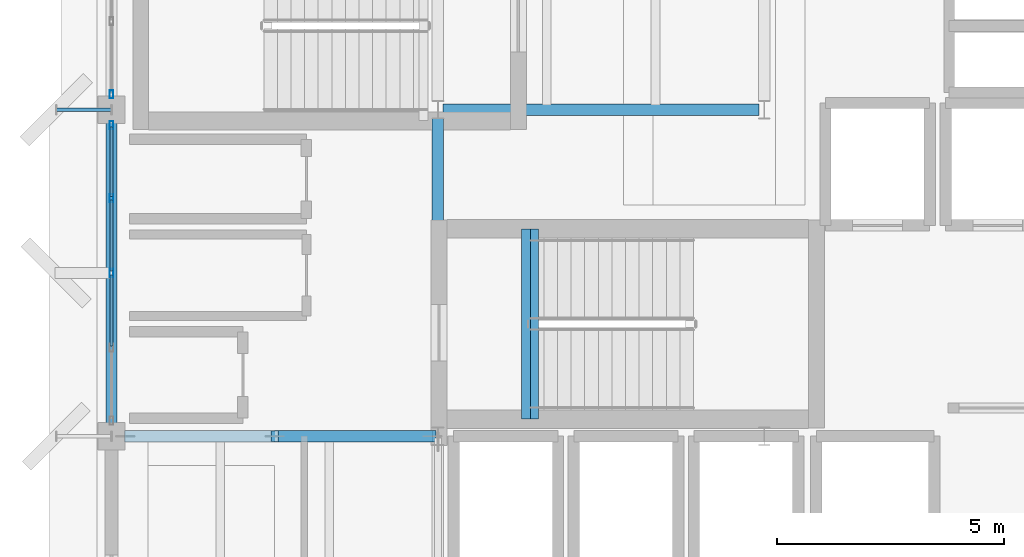
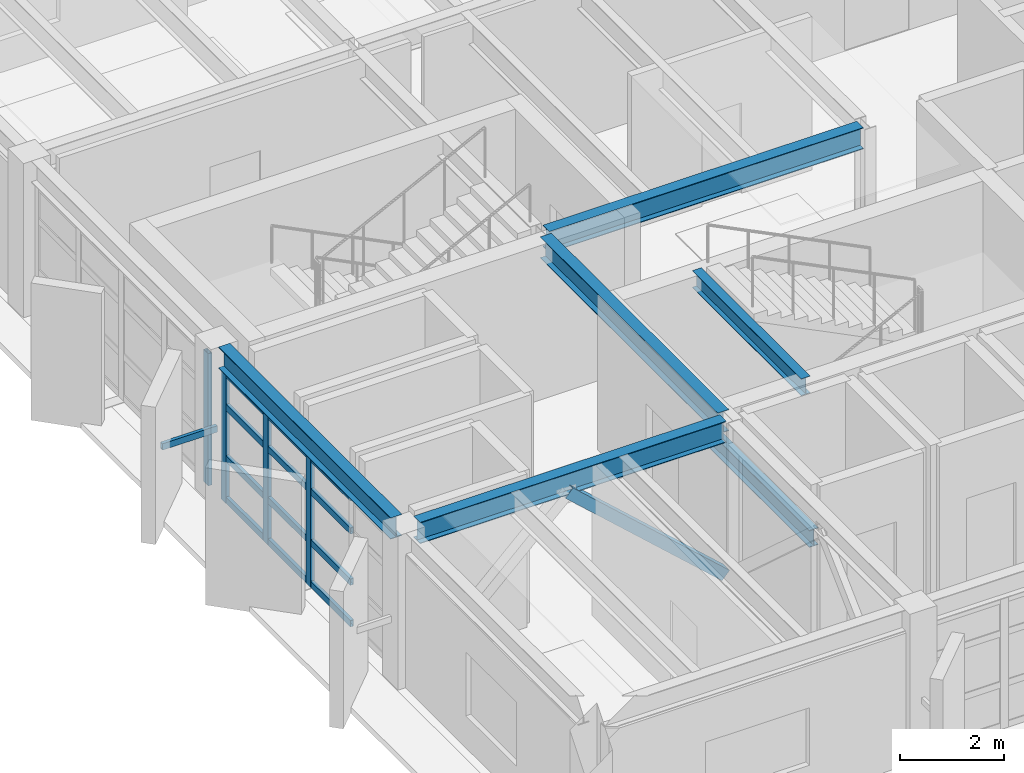
# One storey, part 4 of 19: 18 members, 6 beams, 2 elements without a shape of their own.
"""IFC4 building model written with IfcOpenShell, lengths in metres."""

from ifc_helpers import new_model, si_unit, direction, frame, origin, origin_2d, place, context, subcontext, project, spatial, hollow_rectangle, i_section, extrude, material, layer, layer_set, material_profile, profile_set, type_object, element, aggregate, save


model = new_model("IFC4")

# Units and contexts
model_context = context("Model", 3, precision=1e-05, world=origin(), true_north=direction((0.0, 1.0)))
body_context = subcontext(model_context, "Body", "Model", "MODEL_VIEW")
ifc_project = project(units=[si_unit("LENGTHUNIT", "METRE"), si_unit("AREAUNIT", "SQUARE_METRE"), si_unit("VOLUMEUNIT", "CUBIC_METRE"), si_unit("PLANEANGLEUNIT", "RADIAN"), si_unit("MASSUNIT", "GRAM", prefix="KILO")], contexts=[model_context])

# Site, building, storey
site_placement = place(None, origin())
site = spatial("IfcSite", under=ifc_project, at=site_placement, CompositionType="ELEMENT")
building_placement = place(site_placement, origin())
building = spatial("IfcBuilding", under=site, at=building_placement, Name="Kandorven Conservatory and Botanical Research Centre", CompositionType="ELEMENT")
storey_placement = place(building_placement, frame((0.0, 0.0, 28.800048828125)))
storey = spatial("IfcBuildingStorey", under=building, at=storey_placement, Name="L07", CompositionType="ELEMENT", Elevation=28.800048828125)

# Beams
ifc_material_1 = material(Name="Steel S355 (IS 2062 E350)", Category="steel")
ifc_material_profile_1 = material_profile(ifc_material_1, i_section(OverallWidth=0.25, OverallDepth=0.5, WebThickness=0.010009765625, FlangeThickness=0.0146484375, at=origin_2d()))
ifc_profile_set_1 = profile_set([ifc_material_profile_1], Name="Steel S355 (IS 2062 E350)")
beam_type_1 = type_object("IfcBeamType", Name="Beam_FG-02", PredefinedType="USERDEFINED", material=ifc_profile_set_1)
beam_1_placement = place(storey_placement, frame((6.2900390625, 13.199951171875, 3.369873046875), z_axis=(1.0, 0.0, 0.0), x_axis=(0.0, 1.0, 0.0)))
element("IfcBeam", 1, at=beam_1_placement, inside=storey, type_object=beam_type_1, Name="Primary girder FG-02 TWR L07", ObjectType="GIRDER", PredefinedType="USERDEFINED", context=body_context, shape_type="SweptSolid", body=[
    extrude(i_section(OverallWidth=0.25, OverallDepth=0.5, WebThickness=0.010009765625, FlangeThickness=0.0146484375, at=origin_2d()), origin(), (0.0, 0.0, 1.0), 6.794921875),
])
beam_2_placement = place(storey_placement, frame((13.31494140625, 20.39990234375, 3.369873046875), z_axis=(1.0, 0.0, 0.0), x_axis=(0.0, 1.0, 0.0)))
element("IfcBeam", 2, at=beam_2_placement, inside=storey, type_object=beam_type_1, Name="Primary girder FG-02 TWR L07", ObjectType="GIRDER", PredefinedType="USERDEFINED", context=body_context, shape_type="SweptSolid", body=[
    extrude(i_section(OverallWidth=0.25, OverallDepth=0.5, WebThickness=0.010009765625, FlangeThickness=0.0146484375, at=origin_2d()), origin(), (0.0, 0.0, 1.0), 6.969970703125),
])
beam_3_placement = place(storey_placement, frame((6.0, 13.489990234375, 3.369873046875), z_axis=(0.0, 1.0, 0.0), x_axis=(-1.0, 0.0, 0.0)))
element("IfcBeam", 3, at=beam_3_placement, inside=storey, type_object=beam_type_1, Name="Primary girder FG-02 TWR L07", ObjectType="GIRDER", PredefinedType="USERDEFINED", context=body_context, shape_type="SweptSolid", body=[
    extrude(i_section(OverallWidth=0.25, OverallDepth=0.5, WebThickness=0.010009765625, FlangeThickness=0.0146484375, at=origin_2d()), origin(), (0.0, 0.0, 1.0), 6.6201171875),
])
beam_4_placement = place(storey_placement, frame((13.199951171875, 13.389892578125, 3.369873046875), z_axis=(0.0, 1.0, 0.0), x_axis=(-1.0, 0.0, 0.0)))
element("IfcBeam", 4, at=beam_4_placement, inside=storey, type_object=beam_type_1, Name="Primary girder FG-02 TWR L07", ObjectType="GIRDER", PredefinedType="USERDEFINED", context=body_context, shape_type="SweptSolid", body=[
    extrude(i_section(OverallWidth=0.25, OverallDepth=0.5, WebThickness=0.010009765625, FlangeThickness=0.0146484375, at=origin_2d()), origin(), (0.0, 0.0, 1.0), 6.820068359375),
])
ifc_material_2 = material(Name="Steel S355 (IS 2062 E350)", Category="steel")
ifc_material_profile_2 = material_profile(ifc_material_2, i_section(OverallWidth=0.199951171875, OverallDepth=0.39990234375, WebThickness=0.008544921875, FlangeThickness=0.012939453125, at=origin_2d()))
ifc_profile_set_2 = profile_set([ifc_material_profile_2], Name="Steel S355 (IS 2062 E350)")
beam_type_2 = type_object("IfcBeamType", Name="Beam_FG-03", PredefinedType="USERDEFINED", material=ifc_profile_set_2)
for number, where, z_axis, x_axis, name in (
    (5, (15.320068359375, 13.580078125, -0.199951171875), (0.0, 1.0, 0.0), (-1.0, 0.0, 0.0), "Stair well bottom trimmer girder FG-03 ST-T1 L07"),
    (6, (15.139892578125, 13.580078125, 3.419921875), (0.0, 1.0, 0.0), (-1.0, 0.0, 0.0), "Stair well top header girder FG-03 ST-T1 L07"),
):
    element("IfcBeam", number, at=place(storey_placement, frame(where, z_axis=z_axis, x_axis=x_axis)), inside=storey, type_object=beam_type_2, Name=name, ObjectType="GIRDER", PredefinedType="USERDEFINED", context=body_context, shape_type="SweptSolid", body=[
        extrude(i_section(OverallWidth=0.199951171875, OverallDepth=0.39990234375, WebThickness=0.008544921875, FlangeThickness=0.012939453125, at=origin_2d()), origin(), (0.0, 0.0, 1.0), 4.18994140625),
    ])

# Curtain wall, members
ifc_material_3 = material(Name="Bronze anodised thermally broken aluminium", Category="aluminium")
ifc_layer = layer(ifc_material_3, 0.179931640625)
ifc_layer_set = layer_set([ifc_layer], Name="Bronze anodised thermally broken aluminium")
curtain_wall_type = type_object("IfcCurtainWallType", Name="CW_Unitised", PredefinedType="USERDEFINED", material=ifc_layer_set)
curtain_wall_1_placement = place(storey_placement, origin())
curtain_wall_1 = element("IfcCurtainWall", 7, at=curtain_wall_1_placement, inside=storey, type_object=curtain_wall_type, Name="Tower laboratory curtain wall CW-TWR-W-L07-2", ObjectType="UNITISED GLAZING", PredefinedType="USERDEFINED")
ifc_material_4 = material(Name="Bronze anodised thermally broken aluminium", Category="aluminium")
ifc_material_profile_3 = material_profile(ifc_material_4, hollow_rectangle(XDim=0.080078125, YDim=0.179931640625, WallThickness=0.006103515625, at=origin_2d()))
ifc_profile_set_3 = profile_set([ifc_material_profile_3], Name="Bronze anodised thermally broken aluminium")
member_type_1 = type_object("IfcMemberType", Name="CW_Mullion", PredefinedType="MULLION", material=ifc_profile_set_3)
member_1_placement = place(storey_placement, frame((6.0, 16.800048828125, 0.0), z_axis=(0.0, 0.0, 1.0), x_axis=(-1.0, 0.0, 0.0)))
member_1 = element("IfcMember", 8, at=member_1_placement, type_object=member_type_1, Name="CW-01 mullion 3", PredefinedType="MULLION", context=body_context, shape_type="SweptSolid", body=[
    extrude(hollow_rectangle(XDim=0.080078125, YDim=0.179931640625, WallThickness=0.006103515625, at=origin_2d()), origin(), (0.0, 0.0, 1.0), 3.099853515625),
])
member_2_placement = place(storey_placement, frame((6.0, 18.449951171875, 0.0), z_axis=(0.0, 0.0, 1.0), x_axis=(-1.0, 0.0, 0.0)))
member_2 = element("IfcMember", 9, at=member_2_placement, type_object=member_type_1, Name="CW-01 mullion 4", PredefinedType="MULLION", context=body_context, shape_type="SweptSolid", body=[
    extrude(hollow_rectangle(XDim=0.080078125, YDim=0.179931640625, WallThickness=0.006103515625, at=origin_2d()), origin(), (0.0, 0.0, 1.0), 3.099853515625),
])
member_3_placement = place(storey_placement, frame((6.0, 20.06005859375, 0.0), z_axis=(0.0, 0.0, 1.0), x_axis=(-1.0, 0.0, 0.0)))
member_3 = element("IfcMember", 10, at=member_3_placement, type_object=member_type_1, Name="CW-01 mullion 5", PredefinedType="MULLION", context=body_context, shape_type="SweptSolid", body=[
    extrude(hollow_rectangle(XDim=0.080078125, YDim=0.179931640625, WallThickness=0.006103515625, at=origin_2d()), origin(), (0.0, 0.0, 1.0), 3.099853515625),
])

# Curtain wall, member
curtain_wall_2_placement = place(storey_placement, origin())
curtain_wall_2 = element("IfcCurtainWall", 11, at=curtain_wall_2_placement, inside=storey, type_object=curtain_wall_type, Name="Tower laboratory curtain wall CW-TWR-W-L07-3", ObjectType="UNITISED GLAZING", PredefinedType="USERDEFINED")
member_4_placement = place(storey_placement, frame((6.0, 20.739990234375, 0.0), z_axis=(0.0, 0.0, 1.0), x_axis=(-1.0, 0.0, 0.0)))
member_4 = element("IfcMember", 12, at=member_4_placement, type_object=member_type_1, Name="CW-01 mullion 1", PredefinedType="MULLION", context=body_context, shape_type="SweptSolid", body=[
    extrude(hollow_rectangle(XDim=0.080078125, YDim=0.179931640625, WallThickness=0.006103515625, at=origin_2d()), origin(), (0.0, 0.0, 1.0), 3.099853515625),
])
aggregate(curtain_wall_2, [member_4])

# Member
ifc_material_5 = material(Name="Bronze anodised thermally broken aluminium", Category="aluminium")
ifc_material_profile_4 = material_profile(ifc_material_5, hollow_rectangle(XDim=0.074951171875, YDim=0.14990234375, WallThickness=0.006103515625, at=origin_2d()))
ifc_profile_set_4 = profile_set([ifc_material_profile_4], Name="Bronze anodised thermally broken aluminium")
member_type_2 = type_object("IfcMemberType", Name="CW_Transom", PredefinedType="USERDEFINED", material=ifc_profile_set_4)
member_5_placement = place(storey_placement, frame((6.0, 15.18994140625, 0.074951171875), z_axis=(0.0, 1.0, 0.0), x_axis=(-1.0, 0.0, 0.0)))
member_5 = element("IfcMember", 13, at=member_5_placement, type_object=member_type_2, Name="CW-01 transom 2.1", ObjectType="TRANSOM", PredefinedType="USERDEFINED", context=body_context, shape_type="SweptSolid", body=[
    extrude(hollow_rectangle(XDim=0.074951171875, YDim=0.14990234375, WallThickness=0.006103515625, at=origin_2d()), origin(), (0.0, 0.0, 1.0), 1.570068359375),
])

member_6_placement = place(storey_placement, frame((6.0, 15.18994140625, 1.050048828125), z_axis=(0.0, 1.0, 0.0), x_axis=(-1.0, 0.0, 0.0)))
member_6 = element("IfcMember", 14, at=member_6_placement, type_object=member_type_2, Name="CW-01 transom 2.2", ObjectType="TRANSOM", PredefinedType="USERDEFINED", context=body_context, shape_type="SweptSolid", body=[
    extrude(hollow_rectangle(XDim=0.074951171875, YDim=0.14990234375, WallThickness=0.006103515625, at=origin_2d()), origin(), (0.0, 0.0, 1.0), 1.570068359375),
])

member_7_placement = place(storey_placement, frame((6.0, 15.18994140625, 2.25), z_axis=(0.0, 1.0, 0.0), x_axis=(-1.0, 0.0, 0.0)))
member_7 = element("IfcMember", 15, at=member_7_placement, type_object=member_type_2, Name="CW-01 transom 2.3", ObjectType="TRANSOM", PredefinedType="USERDEFINED", context=body_context, shape_type="SweptSolid", body=[
    extrude(hollow_rectangle(XDim=0.074951171875, YDim=0.14990234375, WallThickness=0.006103515625, at=origin_2d()), origin(), (0.0, 0.0, 1.0), 1.570068359375),
])

member_8_placement = place(storey_placement, frame((6.0, 15.18994140625, 3.02490234375), z_axis=(0.0, 1.0, 0.0), x_axis=(-1.0, 0.0, 0.0)))
member_8 = element("IfcMember", 16, at=member_8_placement, type_object=member_type_2, Name="CW-01 transom 2.4", ObjectType="TRANSOM", PredefinedType="USERDEFINED", context=body_context, shape_type="SweptSolid", body=[
    extrude(hollow_rectangle(XDim=0.074951171875, YDim=0.14990234375, WallThickness=0.006103515625, at=origin_2d()), origin(), (0.0, 0.0, 1.0), 1.570068359375),
])

member_9_placement = place(storey_placement, frame((6.0, 16.840087890625, 0.074951171875), z_axis=(0.0, 1.0, 0.0), x_axis=(-1.0, 0.0, 0.0)))
member_9 = element("IfcMember", 17, at=member_9_placement, type_object=member_type_2, Name="CW-01 transom 3.1", ObjectType="TRANSOM", PredefinedType="USERDEFINED", context=body_context, shape_type="SweptSolid", body=[
    extrude(hollow_rectangle(XDim=0.074951171875, YDim=0.14990234375, WallThickness=0.006103515625, at=origin_2d()), origin(), (0.0, 0.0, 1.0), 1.56982421875),
])

member_10_placement = place(storey_placement, frame((6.0, 16.840087890625, 1.050048828125), z_axis=(0.0, 1.0, 0.0), x_axis=(-1.0, 0.0, 0.0)))
member_10 = element("IfcMember", 18, at=member_10_placement, type_object=member_type_2, Name="CW-01 transom 3.2", ObjectType="TRANSOM", PredefinedType="USERDEFINED", context=body_context, shape_type="SweptSolid", body=[
    extrude(hollow_rectangle(XDim=0.074951171875, YDim=0.14990234375, WallThickness=0.006103515625, at=origin_2d()), origin(), (0.0, 0.0, 1.0), 1.56982421875),
])

member_11_placement = place(storey_placement, frame((6.0, 16.840087890625, 2.25), z_axis=(0.0, 1.0, 0.0), x_axis=(-1.0, 0.0, 0.0)))
member_11 = element("IfcMember", 19, at=member_11_placement, type_object=member_type_2, Name="CW-01 transom 3.3", ObjectType="TRANSOM", PredefinedType="USERDEFINED", context=body_context, shape_type="SweptSolid", body=[
    extrude(hollow_rectangle(XDim=0.074951171875, YDim=0.14990234375, WallThickness=0.006103515625, at=origin_2d()), origin(), (0.0, 0.0, 1.0), 1.56982421875),
])

member_12_placement = place(storey_placement, frame((6.0, 16.840087890625, 3.02490234375), z_axis=(0.0, 1.0, 0.0), x_axis=(-1.0, 0.0, 0.0)))
member_12 = element("IfcMember", 20, at=member_12_placement, type_object=member_type_2, Name="CW-01 transom 3.4", ObjectType="TRANSOM", PredefinedType="USERDEFINED", context=body_context, shape_type="SweptSolid", body=[
    extrude(hollow_rectangle(XDim=0.074951171875, YDim=0.14990234375, WallThickness=0.006103515625, at=origin_2d()), origin(), (0.0, 0.0, 1.0), 1.56982421875),
])

member_13_placement = place(storey_placement, frame((6.0, 18.489990234375, 0.074951171875), z_axis=(0.0, 1.0, 0.0), x_axis=(-1.0, 0.0, 0.0)))
member_13 = element("IfcMember", 21, at=member_13_placement, type_object=member_type_2, Name="CW-01 transom 4.1", ObjectType="TRANSOM", PredefinedType="USERDEFINED", context=body_context, shape_type="SweptSolid", body=[
    extrude(hollow_rectangle(XDim=0.074951171875, YDim=0.14990234375, WallThickness=0.006103515625, at=origin_2d()), origin(), (0.0, 0.0, 1.0), 1.530029296875),
])

member_14_placement = place(storey_placement, frame((6.0, 18.489990234375, 1.050048828125), z_axis=(0.0, 1.0, 0.0), x_axis=(-1.0, 0.0, 0.0)))
member_14 = element("IfcMember", 22, at=member_14_placement, type_object=member_type_2, Name="CW-01 transom 4.2", ObjectType="TRANSOM", PredefinedType="USERDEFINED", context=body_context, shape_type="SweptSolid", body=[
    extrude(hollow_rectangle(XDim=0.074951171875, YDim=0.14990234375, WallThickness=0.006103515625, at=origin_2d()), origin(), (0.0, 0.0, 1.0), 1.530029296875),
])

member_15_placement = place(storey_placement, frame((6.0, 18.489990234375, 2.25), z_axis=(0.0, 1.0, 0.0), x_axis=(-1.0, 0.0, 0.0)))
member_15 = element("IfcMember", 23, at=member_15_placement, type_object=member_type_2, Name="CW-01 transom 4.3", ObjectType="TRANSOM", PredefinedType="USERDEFINED", context=body_context, shape_type="SweptSolid", body=[
    extrude(hollow_rectangle(XDim=0.074951171875, YDim=0.14990234375, WallThickness=0.006103515625, at=origin_2d()), origin(), (0.0, 0.0, 1.0), 1.530029296875),
])

member_16_placement = place(storey_placement, frame((6.0, 18.489990234375, 3.02490234375), z_axis=(0.0, 1.0, 0.0), x_axis=(-1.0, 0.0, 0.0)))
member_16 = element("IfcMember", 24, at=member_16_placement, type_object=member_type_2, Name="CW-01 transom 4.4", ObjectType="TRANSOM", PredefinedType="USERDEFINED", context=body_context, shape_type="SweptSolid", body=[
    extrude(hollow_rectangle(XDim=0.074951171875, YDim=0.14990234375, WallThickness=0.006103515625, at=origin_2d()), origin(), (0.0, 0.0, 1.0), 1.530029296875),
])

aggregate(curtain_wall_1, [member_1, member_2, member_3, member_5, member_6, member_7, member_8, member_9, member_10, member_11, member_12, member_13, member_14, member_15, member_16])

# Members
ifc_material_6 = material(Name="Steel S355 (IS 2062 E350)", Category="steel")
ifc_material_profile_5 = material_profile(ifc_material_6, hollow_rectangle(XDim=0.25, YDim=0.25, WallThickness=0.011962890625, at=origin_2d()))
ifc_profile_set_5 = profile_set([ifc_material_profile_5], Name="Steel S355 (IS 2062 E350)")
member_type_3 = type_object("IfcMemberType", Name="Mem_BR-02", PredefinedType="BRACE", material=ifc_profile_set_5)
member_17_placement = place(storey_placement, frame((13.074951171875, 13.199951171875, 0.0), z_axis=(-0.740900335623, 0.0, 0.671614988422), x_axis=(0.0, -1.0, 0.0)))
element("IfcMember", 25, at=member_17_placement, inside=storey, type_object=member_type_3, Name="Tower lateral chevron brace BR-02 L07 E", PredefinedType="BRACE", context=body_context, shape_type="SweptSolid", body=[
    extrude(hollow_rectangle(XDim=0.25, YDim=0.25, WallThickness=0.011962890625, at=origin_2d()), origin(), (0.0, 0.0, 1.0), 4.68994140625),
])
ifc_material_7 = material(Name="Steel S355 (IS 2062 E350)", Category="steel")
ifc_material_profile_6 = material_profile(ifc_material_7, hollow_rectangle(XDim=0.074951171875, YDim=0.14990234375, WallThickness=0.006103515625, at=origin_2d()))
ifc_profile_set_6 = profile_set([ifc_material_profile_6], Name="Steel S355 (IS 2062 E350)")
member_type_4 = type_object("IfcMemberType", Name="Mem_SF-01", PredefinedType="STRUT", material=ifc_profile_set_6)
member_18_placement = place(storey_placement, frame((6.0, 20.39990234375, 1.5), z_axis=(-1.0, 0.0, 0.0), x_axis=(0.0, -1.0, 0.0)))
element("IfcMember", 26, at=member_18_placement, inside=storey, type_object=member_type_4, Name="Solar fin steel outrigger strut SF-01 #79", PredefinedType="STRUT", context=body_context, shape_type="SweptSolid", body=[
    extrude(hollow_rectangle(XDim=0.074951171875, YDim=0.14990234375, WallThickness=0.006103515625, at=origin_2d()), origin(), (0.0, 0.0, 1.0), 1.219970703125),
])

save(model, "model.ifc")
